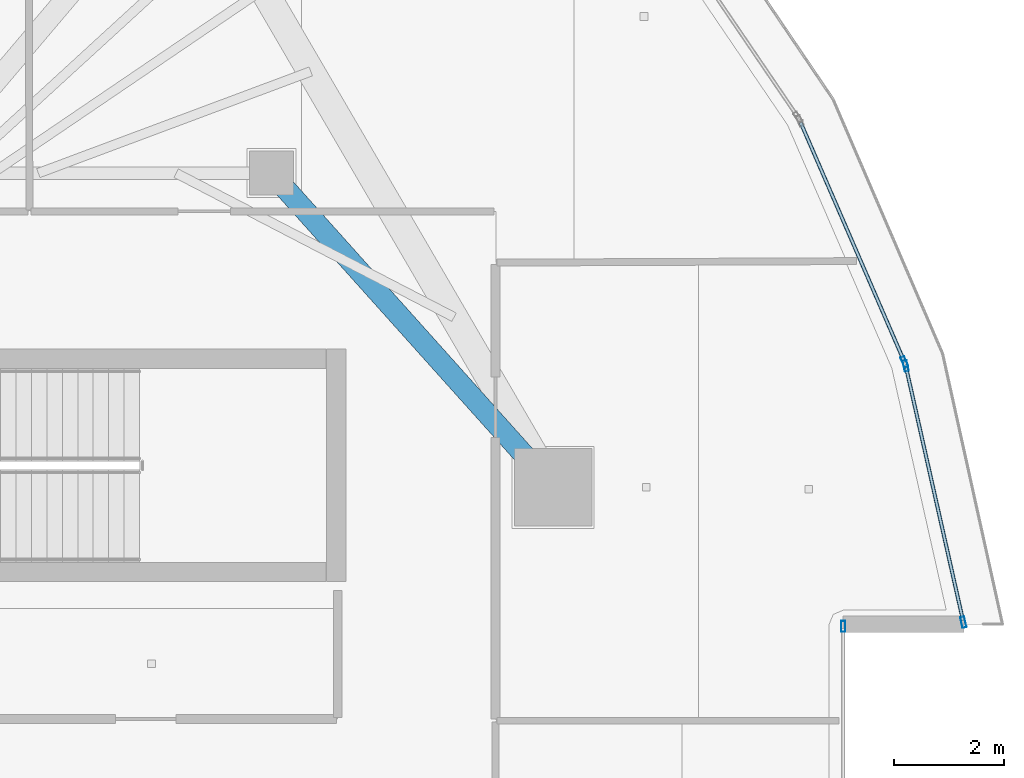
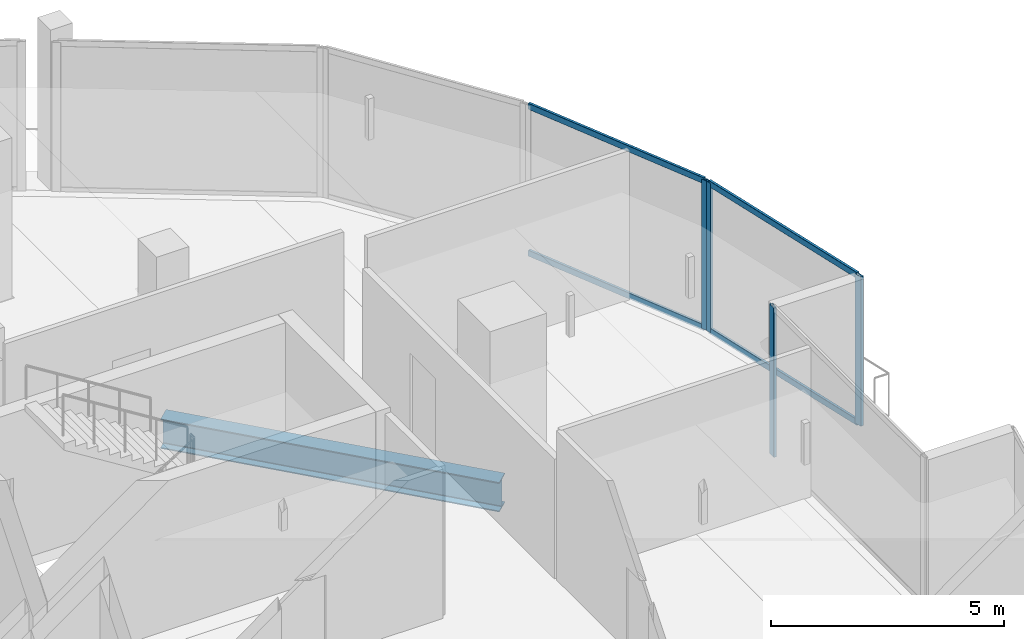
# One storey, part 11 of 25: 8 members, 1 beam, 3 elements without a shape of their own.
"""IFC4 building model written with IfcOpenShell, lengths in metres."""

from ifc_helpers import new_model, si_unit, direction, frame, origin, origin_2d, place, context, subcontext, project, spatial, hollow_rectangle, i_section, extrude, material, layer, layer_set, material_profile, profile_set, type_object, element, aggregate, save


model = new_model("IFC4")

# Units and contexts
model_context = context("Model", 3, precision=1e-05, world=origin(), true_north=direction((0.0, 1.0)))
body_context = subcontext(model_context, "Body", "Model", "MODEL_VIEW")
ifc_project = project(units=[si_unit("LENGTHUNIT", "METRE"), si_unit("AREAUNIT", "SQUARE_METRE"), si_unit("VOLUMEUNIT", "CUBIC_METRE"), si_unit("PLANEANGLEUNIT", "RADIAN"), si_unit("MASSUNIT", "GRAM", prefix="KILO")], contexts=[model_context])

# Site, building, storey
site_placement = place(None, origin())
site = spatial("IfcSite", under=ifc_project, at=site_placement, CompositionType="ELEMENT")
building_placement = place(site_placement, origin())
building = spatial("IfcBuilding", under=site, at=building_placement, Name="Qorvath Tower", CompositionType="ELEMENT")
storey_placement = place(building_placement, frame((0.0, 0.0, 314.39990234375)))
storey = spatial("IfcBuildingStorey", under=building, at=storey_placement, Name="L73", CompositionType="ELEMENT", Elevation=314.39990234375)

# Beam
ifc_material_1 = material(Name="Steel ASTM A992 Grade 50", Category="steel")
ifc_material_profile_1 = material_profile(ifc_material_1, i_section(OverallWidth=0.381103515625, OverallDepth=0.77294921875, WebThickness=0.0166015625, FlangeThickness=0.027099609375, FilletRadius=0.01904296875, at=origin_2d()), Name="W30x173")
ifc_profile_set_1 = profile_set([ifc_material_profile_1], Name="Steel ASTM A992 Grade 50")
beam_type = type_object("IfcBeamType", Name="BM-FG3", PredefinedType="BEAM", material=ifc_profile_set_1)
beam_placement = place(storey_placement, frame((-17.199951171875, 11.449951171875, -0.67626953125), z_axis=(0.667543184261, -0.744571082669, 0.0), x_axis=(0.744571082669, 0.667543184261, 0.0)))
element("IfcBeam", 1, at=beam_placement, inside=storey, type_object=beam_type, Name="Radial Floor Girder CC2-MC5 L73", PredefinedType="BEAM", context=body_context, shape_type="SweptSolid", body=[
    extrude(i_section(OverallWidth=0.381103515625, OverallDepth=0.77294921875, WebThickness=0.0166015625, FlangeThickness=0.027099609375, FilletRadius=0.01904296875, at=origin_2d()), origin(), (0.0, 0.0, 1.0), 7.644775390625),
])

# Curtain wall, member
ifc_material_2 = material(Name="Anodised aluminium and triple low-E glass", Category="aluminium")
ifc_layer = layer(ifc_material_2, 0.179931640625)
ifc_layer_set = layer_set([ifc_layer], Name="CW-SYS-4")
curtain_wall_type = type_object("IfcCurtainWallType", Name="CW-SYS-4", PredefinedType="NOTDEFINED", material=ifc_layer_set)
curtain_wall_1_placement = place(storey_placement, origin())
curtain_wall_1 = element("IfcCurtainWall", 2, at=curtain_wall_1_placement, inside=storey, type_object=curtain_wall_type, Name="Curtain Wall CW-4 CW-T-L73-9.1", PredefinedType="NOTDEFINED")
ifc_material_3 = material(Name="Anodised aluminium 6063-T6", Category="aluminium")
ifc_material_profile_2 = material_profile(ifc_material_3, hollow_rectangle(XDim=0.074951171875, YDim=0.199951171875, WallThickness=0.00390625, InnerFilletRadius=0.00390625, OuterFilletRadius=0.008056640625, at=origin_2d()), Name="CWM 200x75")
ifc_profile_set_2 = profile_set([ifc_material_profile_2], Name="Anodised aluminium 6063-T6")
member_type_1 = type_object("IfcMemberType", Name="CWM-200", PredefinedType="MULLION", material=ifc_profile_set_2)
member_1_placement = place(storey_placement, frame((-6.84228515625, 3.240234375, 0.0), z_axis=(0.0, 0.0, 1.0), x_axis=(-1.0, 0.0, 0.0)))
member_1 = element("IfcMember", 3, at=member_1_placement, type_object=member_type_1, Name="CW-4 mullion 2", PredefinedType="MULLION", context=body_context, shape_type="SweptSolid", body=[
    extrude(hollow_rectangle(XDim=0.074951171875, YDim=0.199951171875, WallThickness=0.00390625, InnerFilletRadius=0.00390625, OuterFilletRadius=0.008056640625, at=origin_2d()), origin(), (0.0, 0.0, 1.0), 3.91015625),
])
aggregate(curtain_wall_1, [member_1])

# Curtain wall, members
curtain_wall_2_placement = place(storey_placement, origin())
curtain_wall_2 = element("IfcCurtainWall", 4, at=curtain_wall_2_placement, inside=storey, type_object=curtain_wall_type, Name="Curtain Wall CW-4 CW-T-L73-11.1", PredefinedType="NOTDEFINED")
member_2_placement = place(storey_placement, frame((-4.66552734375, 3.314453125, 0.0), z_axis=(0.0, 0.0, 1.0), x_axis=(-0.975610531022, -0.219508750985, 0.0)))
member_2 = element("IfcMember", 5, at=member_2_placement, type_object=member_type_1, Name="CW-4 mullion 1", PredefinedType="MULLION", context=body_context, shape_type="SweptSolid", body=[
    extrude(hollow_rectangle(XDim=0.074951171875, YDim=0.199951171875, WallThickness=0.00390625, InnerFilletRadius=0.00390625, OuterFilletRadius=0.008056640625, at=origin_2d()), origin(), (0.0, 0.0, 1.0), 3.91015625),
])
member_3_placement = place(storey_placement, frame((-5.71044921875, 7.95947265625, 0.0), z_axis=(0.0, 0.0, 1.0), x_axis=(-0.975610531022, -0.219508750985, 0.0)))
member_3 = element("IfcMember", 6, at=member_3_placement, type_object=member_type_1, Name="CW-4 mullion 2", PredefinedType="MULLION", context=body_context, shape_type="SweptSolid", body=[
    extrude(hollow_rectangle(XDim=0.074951171875, YDim=0.199951171875, WallThickness=0.00390625, InnerFilletRadius=0.00390625, OuterFilletRadius=0.008056640625, at=origin_2d()), origin(), (0.0, 0.0, 1.0), 3.91015625),
])

# Curtain wall, member
curtain_wall_3_placement = place(storey_placement, origin())
curtain_wall_3 = element("IfcCurtainWall", 7, at=curtain_wall_3_placement, inside=storey, type_object=curtain_wall_type, Name="Curtain Wall CW-4 CW-T-L73-12.1", PredefinedType="NOTDEFINED")
member_4_placement = place(storey_placement, frame((-5.733642578125, 8.030517578125, 0.0), z_axis=(0.0, 0.0, 1.0), x_axis=(-0.917479167341, -0.397783832623, 0.0)))
member_4 = element("IfcMember", 8, at=member_4_placement, type_object=member_type_1, Name="CW-4 mullion 1", PredefinedType="MULLION", context=body_context, shape_type="SweptSolid", body=[
    extrude(hollow_rectangle(XDim=0.074951171875, YDim=0.199951171875, WallThickness=0.00390625, InnerFilletRadius=0.00390625, OuterFilletRadius=0.008056640625, at=origin_2d()), origin(), (0.0, 0.0, 1.0), 3.91015625),
])

# Member
ifc_material_4 = material(Name="Anodised aluminium 6063-T6", Category="aluminium")
ifc_material_profile_3 = material_profile(ifc_material_4, hollow_rectangle(XDim=0.06494140625, YDim=0.159912109375, WallThickness=0.00341796875, InnerFilletRadius=0.00341796875, OuterFilletRadius=0.007080078125, at=origin_2d()), Name="CWT 160x65")
ifc_profile_set_3 = profile_set([ifc_material_profile_3], Name="Anodised aluminium 6063-T6")
member_type_2 = type_object("IfcMemberType", Name="CWT-160", PredefinedType="USERDEFINED", material=ifc_profile_set_3)
member_5_placement = place(storey_placement, frame((-4.673583984375, 3.35107421875, 0.032470703125), z_axis=(-0.219544427467, 0.975602503261, 0.0), x_axis=(-0.975602503261, -0.219544427467, 0.0)))
member_5 = element("IfcMember", 9, at=member_5_placement, type_object=member_type_2, Name="CW-4 transom 1.1", ObjectType="TRANSOM", PredefinedType="USERDEFINED", context=body_context, shape_type="SweptSolid", body=[
    extrude(hollow_rectangle(XDim=0.06494140625, YDim=0.159912109375, WallThickness=0.00341796875, InnerFilletRadius=0.00341796875, OuterFilletRadius=0.007080078125, at=origin_2d()), origin(), (0.0, 0.0, 1.0), 4.68603515625),
])

member_6_placement = place(storey_placement, frame((-4.673583984375, 3.35107421875, 3.877685546875), z_axis=(-0.219544427467, 0.975602503261, 0.0), x_axis=(-0.975602503261, -0.219544427467, 0.0)))
member_6 = element("IfcMember", 10, at=member_6_placement, type_object=member_type_2, Name="CW-4 transom 1.2", ObjectType="TRANSOM", PredefinedType="USERDEFINED", context=body_context, shape_type="SweptSolid", body=[
    extrude(hollow_rectangle(XDim=0.06494140625, YDim=0.159912109375, WallThickness=0.00341796875, InnerFilletRadius=0.00341796875, OuterFilletRadius=0.007080078125, at=origin_2d()), origin(), (0.0, 0.0, 1.0), 4.68603515625),
])

aggregate(curtain_wall_2, [member_2, member_3, member_5, member_6])

member_7_placement = place(storey_placement, frame((-5.74853515625, 8.06494140625, 0.032470703125), z_axis=(-0.397807723761, 0.917468808689, 0.0), x_axis=(-0.917468808689, -0.397807723761, 0.0)))
member_7 = element("IfcMember", 11, at=member_7_placement, type_object=member_type_2, Name="CW-4 transom 1.1", ObjectType="TRANSOM", PredefinedType="USERDEFINED", context=body_context, shape_type="SweptSolid", body=[
    extrude(hollow_rectangle(XDim=0.06494140625, YDim=0.159912109375, WallThickness=0.00341796875, InnerFilletRadius=0.00341796875, OuterFilletRadius=0.007080078125, at=origin_2d()), origin(), (0.0, 0.0, 1.0), 4.686279296875),
])

member_8_placement = place(storey_placement, frame((-5.74853515625, 8.06494140625, 3.877685546875), z_axis=(-0.397807723761, 0.917468808689, 0.0), x_axis=(-0.917468808689, -0.397807723761, 0.0)))
member_8 = element("IfcMember", 12, at=member_8_placement, type_object=member_type_2, Name="CW-4 transom 1.2", ObjectType="TRANSOM", PredefinedType="USERDEFINED", context=body_context, shape_type="SweptSolid", body=[
    extrude(hollow_rectangle(XDim=0.06494140625, YDim=0.159912109375, WallThickness=0.00341796875, InnerFilletRadius=0.00341796875, OuterFilletRadius=0.007080078125, at=origin_2d()), origin(), (0.0, 0.0, 1.0), 4.686279296875),
])

aggregate(curtain_wall_3, [member_4, member_7, member_8])

save(model, "model.ifc")
